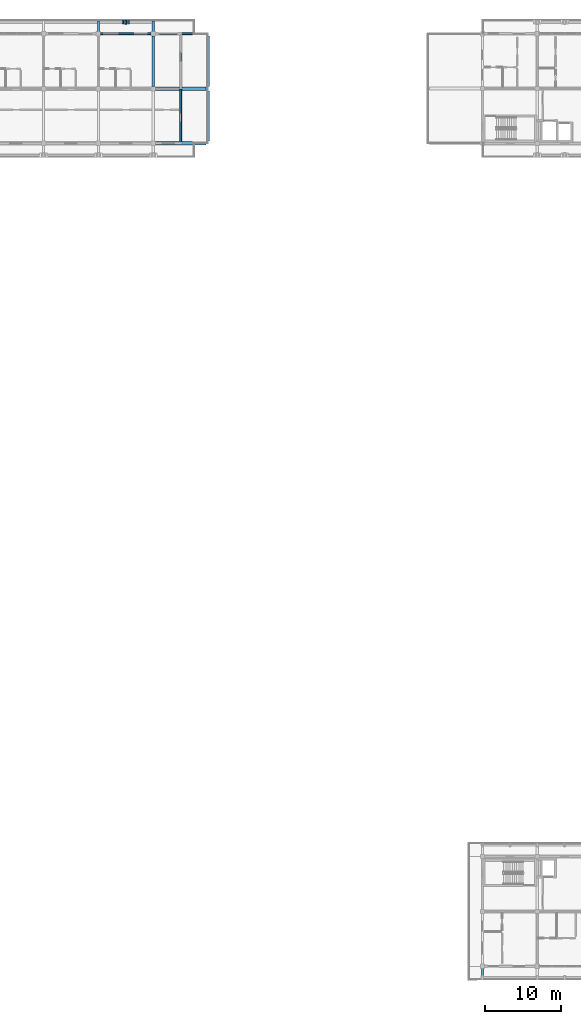
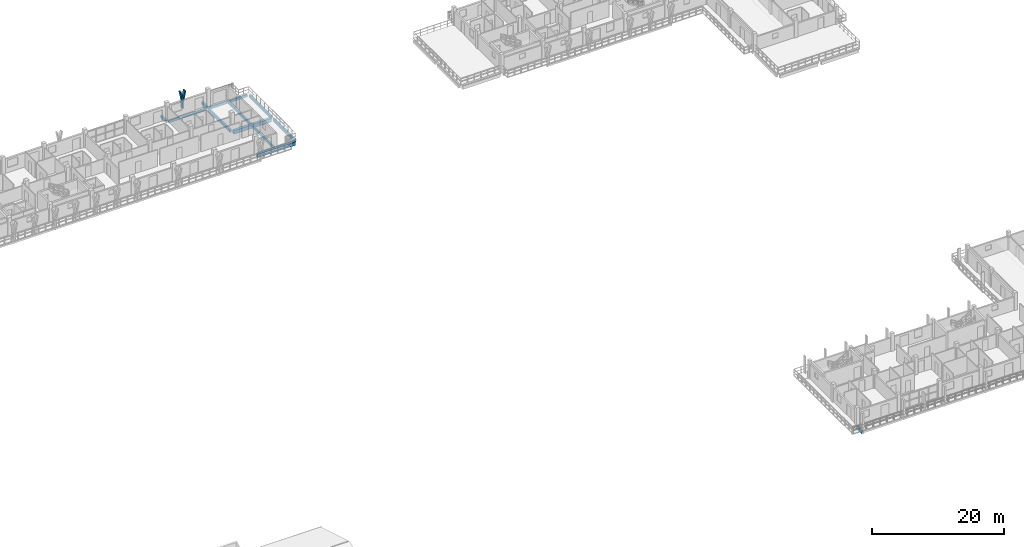
# One storey, part 15 of 60: 12 beams, 3 members.
"""IFC4 building model written with IfcOpenShell, lengths in metres."""

import ifcopenshell
import ifcopenshell.guid

model = None  # the IFC model being written
_history = None  # IfcOwnerHistory: only IFC2X3 demands one
_inside = {}  # id of a spatial element -> (the spatial element, [elements in it])
_under = {}  # id of a project, library or spatial element -> (it, [spatial elements below it])
_declared = {}  # id of a project -> (the project, [libraries it declares])
_typed = {}  # id of a type object -> (the type object, [elements of that type])
_made_of = {}  # id of a material, layer set ... -> (it, [elements and type objects made of it])


def new_model(schema):
    """Start an empty IFC model of exactly this schema.

    Asked for "IFC4X3", IfcOpenShell would pick the latest addendum, in which some entities
    have other attributes; the version numbers below select the first issue.
    IFC2X3 requires an IfcOwnerHistory on every rooted entity: one is made here for all.
    """
    global model, _history
    if schema == "IFC4X3":
        model = ifcopenshell.file(schema_version=(4, 3, 0, 0))
    else:
        model = ifcopenshell.file(schema=schema)
    _inside.clear()
    _under.clear()
    _declared.clear()
    _typed.clear()
    _made_of.clear()
    _history = None
    if model.schema == "IFC2X3":
        org = make("IfcOrganization", Name="unknown")
        user = make(
            "IfcPersonAndOrganization",
            ThePerson=make("IfcPerson", FamilyName="unknown"),
            TheOrganization=org,
        )
        app = make(
            "IfcApplication",
            ApplicationDeveloper=org,
            Version="unknown",
            ApplicationFullName="unknown",
            ApplicationIdentifier="unknown",
        )
        _history = make(
            "IfcOwnerHistory",
            OwningUser=user,
            OwningApplication=app,
            ChangeAction="ADDED",
            CreationDate=0,
        )
    return model


def make(cls, **values):
    """One entity of the class cls with the attributes given. An attribute that is None is left unset."""
    return model.create_entity(
        cls, **{name: value for name, value in values.items() if value is not None}
    )


def rooted(cls, **values):
    """An entity with a GlobalId (a new one), such as an element, a storey or a relation."""
    return make(cls, GlobalId=ifcopenshell.guid.new(), OwnerHistory=_history, **values)


def si_unit(unit_type, name, prefix=None):
    """IfcSIUnit, for example si_unit("LENGTHUNIT", "METRE", prefix="MILLI")."""
    return make("IfcSIUnit", UnitType=unit_type, Prefix=prefix, Name=name)


def assignment(units):
    """IfcUnitAssignment: the units of a project."""
    return None if units is None else make("IfcUnitAssignment", Units=units)


def point(xyz):
    """IfcCartesianPoint."""
    return None if xyz is None else make("IfcCartesianPoint", Coordinates=xyz)


def direction(xyz):
    """IfcDirection."""
    return None if xyz is None else make("IfcDirection", DirectionRatios=xyz)


def frame(location, z_axis=None, x_axis=None):
    """IfcAxis2Placement3D, a coordinate frame: its origin and axes. An axis left out is left unset."""
    return make(
        "IfcAxis2Placement3D",
        Location=point(location),
        Axis=direction(z_axis),
        RefDirection=direction(x_axis),
    )


def frame_2d(location, x_axis=None):
    """IfcAxis2Placement2D, a coordinate frame in the plane: its origin and x axis."""
    return make(
        "IfcAxis2Placement2D", Location=point(location), RefDirection=direction(x_axis)
    )


def origin():
    """The frame at (0, 0, 0) with its axes left unset."""
    return frame((0.0, 0.0, 0.0))


def origin_2d():
    """The frame at (0, 0) in the plane with its x axis left unset."""
    return frame_2d((0.0, 0.0))


def place(relative_to, where):
    """IfcLocalPlacement: puts the frame where relative to a parent placement (None: the world)."""
    return make(
        "IfcLocalPlacement", PlacementRelTo=relative_to, RelativePlacement=where
    )


def context(
    kind, dimensions, precision=None, world=None, true_north=None, identifier=None
):
    """IfcGeometricRepresentationContext, for example the 3D "Model" context."""
    return make(
        "IfcGeometricRepresentationContext",
        ContextIdentifier=identifier,
        ContextType=kind,
        CoordinateSpaceDimension=dimensions,
        Precision=precision,
        WorldCoordinateSystem=world,
        TrueNorth=true_north,
    )


def subcontext(parent, identifier, kind, view, scale=None):
    """IfcGeometricRepresentationSubContext, for example "Body" below "Model"."""
    return make(
        "IfcGeometricRepresentationSubContext",
        ContextIdentifier=identifier,
        ContextType=kind,
        ParentContext=parent,
        TargetScale=scale,
        TargetView=view,
    )


def project(units=None, contexts=None):
    """IfcProject with its units and contexts."""
    return rooted(
        "IfcProject",
        Name="project",
        RepresentationContexts=contexts,
        UnitsInContext=assignment(units),
    )


def spatial(cls, under=None, at=None, **own):
    """A site, building, storey or space (cls), placed at a placement, below another one or the project."""
    s = rooted(cls, ObjectPlacement=at, **own)
    if under is not None:
        _under.setdefault(under.id(), (under, []))[1].append(s)
    return s


def profile(cls, at=None, kind="AREA", **sizes):
    """A parametric profile (cls). Its sizes go by their IFC names, for example OverallWidth=200.0."""
    return make(cls, ProfileType=kind, Position=at, **sizes)


def rectangle(**sizes):
    """IfcRectangleProfileDef."""
    return profile("IfcRectangleProfileDef", **sizes)


def extrude(swept, where, along, depth):
    """IfcExtrudedAreaSolid: the profile swept, set in the frame where, extruded along a direction by depth."""
    return make(
        "IfcExtrudedAreaSolid",
        SweptArea=swept,
        Position=where,
        ExtrudedDirection=direction(along),
        Depth=depth,
    )


def shape(context_of_items, identifier, shape_type, items):
    """IfcShapeRepresentation: the items that make up one representation, for example the "Body"."""
    return make(
        "IfcShapeRepresentation",
        ContextOfItems=context_of_items,
        RepresentationIdentifier=identifier,
        RepresentationType=shape_type,
        Items=items,
    )


def material(Name=None, Category=None):
    """IfcMaterial."""
    return make("IfcMaterial", Name=Name, Category=Category)


def material_profile(
    of_material, cross_section, Name=None, Category=None, Priority=None
):
    """IfcMaterialProfile: a cross section and its material."""
    return make(
        "IfcMaterialProfile",
        Name=Name,
        Material=of_material,
        Profile=cross_section,
        Priority=Priority,
        Category=Category,
    )


def profile_set(profiles, Name=None, composite=None):
    """IfcMaterialProfileSet."""
    return make(
        "IfcMaterialProfileSet",
        Name=Name,
        MaterialProfiles=profiles,
        CompositeProfile=composite,
    )


def made_of(thing, what):
    """Note that an element or type object is made of a material, layer set ...; save() writes the relation."""
    if what is not None:
        _made_of.setdefault(what.id(), (what, []))[1].append(thing)
    return thing


def type_object(cls, material=None, **own):
    """A type object (cls), such as IfcWallType, which elements share."""
    return made_of(rooted(cls, **own), material)


def element(
    cls,
    number,
    at=None,
    inside=None,
    cuts=None,
    type_object=None,
    material=None,
    context=None,
    identifier="Body",
    shape_type=None,
    held_by="IfcProductDefinitionShape",
    body=None,
    shapes=None,
    **own,
):
    """One element of the class cls, such as IfcWall. Its Tag is "e" and its number.

    at: its placement. inside: the storey or other place that contains it. cuts: it is an
    opening in that element (IfcRelVoidsElement). A single representation is given by context,
    identifier, shape_type and body (its items); several are given by shapes. held_by: the class
    of the entity that holds the representations. save() writes the other relations.
    """
    e = rooted(cls, Tag="e%d" % number, ObjectPlacement=at, **own)
    if body is not None:
        shapes = [shape(context, identifier, shape_type, body)]
    if shapes is not None:
        e.Representation = make(held_by, Representations=shapes)
    if inside is not None:
        _inside.setdefault(inside.id(), (inside, []))[1].append(e)
    if cuts is not None:
        rooted(
            "IfcRelVoidsElement", RelatingBuildingElement=cuts, RelatedOpeningElement=e
        )
    if type_object is not None:
        _typed.setdefault(type_object.id(), (type_object, []))[1].append(e)
    return made_of(e, material)


def aggregate(whole, parts):
    """IfcRelAggregates: a whole, such as a stair, and the parts it consists of."""
    return rooted("IfcRelAggregates", RelatingObject=whole, RelatedObjects=parts)


def save(model, path):
    """Write the relations noted so far, then the file.

    IfcRelAggregates (storeys below a building ...), IfcRelContainedInSpatialStructure (elements
    in a storey), IfcRelDefinesByType, IfcRelAssociatesMaterial and IfcRelDeclares: one each for
    every whole, place, type object, material and project.
    """
    for whole, parts in _under.values():
        aggregate(whole, parts)
    for where, things in _inside.values():
        rooted(
            "IfcRelContainedInSpatialStructure",
            RelatedElements=things,
            RelatingStructure=where,
        )
    for kind, things in _typed.values():
        rooted("IfcRelDefinesByType", RelatedObjects=things, RelatingType=kind)
    for what, things in _made_of.values():
        rooted("IfcRelAssociatesMaterial", RelatedObjects=things, RelatingMaterial=what)
    for by, libraries in _declared.values():
        rooted("IfcRelDeclares", RelatingContext=by, RelatedDefinitions=libraries)
    model.write(path)


model = new_model("IFC4")

# Units and contexts
model_context = context("Model", 3, precision=1e-05, world=origin(), true_north=direction((0.0, 1.0)))
body_context = subcontext(model_context, "Body", "Model", "MODEL_VIEW")
ifc_project = project(units=[si_unit("LENGTHUNIT", "METRE"), si_unit("AREAUNIT", "SQUARE_METRE"), si_unit("VOLUMEUNIT", "CUBIC_METRE"), si_unit("PLANEANGLEUNIT", "RADIAN"), si_unit("MASSUNIT", "GRAM", prefix="KILO")], contexts=[model_context])

# Site, building, storey
site_placement = place(None, origin())
site = spatial("IfcSite", under=ifc_project, at=site_placement, CompositionType="ELEMENT")
building_placement = place(site_placement, origin())
building = spatial("IfcBuilding", under=site, at=building_placement, Name="Suanplinth Sawtooth Commons", CompositionType="ELEMENT")
storey_placement = place(building_placement, frame((0.0, 0.0, 31.5)))
storey = spatial("IfcBuildingStorey", under=building, at=storey_placement, Name="L09", CompositionType="ELEMENT", Elevation=31.5)

# Beams
ifc_material_1 = material(Name="Precast concrete C40/50", Category="concrete")
ifc_material_profile_1 = material_profile(ifc_material_1, rectangle(XDim=0.449951171875, YDim=0.64990234375, at=origin_2d()), Name="PC-GDR 450x650")
ifc_profile_set_1 = profile_set([ifc_material_profile_1], Name="Precast concrete C40/50")
beam_type_1 = type_object("IfcBeamType", Name="B-04", PredefinedType="USERDEFINED", material=ifc_profile_set_1)
for number, where, z_axis, x_axis, name in (
    (1, (93.89990234375, 108.0, -0.574951171875), (1.0, 0.0, 0.0), (0.0, 1.0, 0.0), "BMX-L09-A-13-15"),
    (2, (93.89990234375, 115.199951171875, -0.574951171875), (1.0, 0.0, 0.0), (0.0, 1.0, 0.0), "BMX-L09-A-13-16"),
):
    element("IfcBeam", number, at=place(storey_placement, frame(where, z_axis=z_axis, x_axis=x_axis)), inside=storey, type_object=beam_type_1, Name=name, ObjectType="GIRDER", PredefinedType="USERDEFINED", context=body_context, shape_type="SweptSolid", body=[
        extrude(rectangle(XDim=0.449951171875, YDim=0.64990234375, at=origin_2d()), origin(), (0.0, 0.0, 1.0), 6.60009765625),
    ])
ifc_material_profile_2 = material_profile(ifc_material_1, rectangle(XDim=0.300048828125, YDim=0.5, at=origin_2d()), Name="PC-BM 300x500")
ifc_profile_set_2 = profile_set([ifc_material_profile_2], Name="Precast concrete C40/50")
beam_type_2 = type_object("IfcBeamType", Name="B-07", PredefinedType="BEAM", material=ifc_profile_set_2)
beam_1_placement = place(storey_placement, frame((93.60009765625, 115.5, -0.5), z_axis=(0.0, 1.0, 0.0), x_axis=(-1.0, 0.0, 0.0)))
element("IfcBeam", 3, at=beam_1_placement, inside=storey, type_object=beam_type_2, Name="BMY-L09-A-13-16", PredefinedType="BEAM", context=body_context, shape_type="SweptSolid", body=[
    extrude(rectangle(XDim=0.300048828125, YDim=0.5, at=origin_2d()), origin(), (0.0, 0.0, 1.0), 6.60009765625),
])
beam_2_placement = place(storey_placement, frame((100.800048828125, 108.300048828125, -0.5), z_axis=(0.0, 1.0, 0.0), x_axis=(-1.0, 0.0, 0.0)))
element("IfcBeam", 4, at=beam_2_placement, inside=storey, type_object=beam_type_2, Name="BMY-L09-A-14-15", PredefinedType="BEAM", context=body_context, shape_type="SweptSolid", body=[
    extrude(rectangle(XDim=0.300048828125, YDim=0.5, at=origin_2d()), origin(), (0.0, 0.0, 1.0), 6.599853515625),
])
beam_3_placement = place(storey_placement, frame((100.800048828125, 115.5, -0.5), z_axis=(0.0, 1.0, 0.0), x_axis=(-1.0, 0.0, 0.0)))
element("IfcBeam", 5, at=beam_3_placement, inside=storey, type_object=beam_type_2, Name="BMY-L09-A-14-16", PredefinedType="BEAM", context=body_context, shape_type="SweptSolid", body=[
    extrude(rectangle(XDim=0.300048828125, YDim=0.5, at=origin_2d()), origin(), (0.0, 0.0, 1.0), 6.60009765625),
])
for number, where, z_axis, x_axis, name in (
    (6, (86.39990234375, 122.39990234375, -0.429931640625), (0.0, 1.0, 0.0), (-1.0, 0.0, 0.0), "Balcony Outrigger L09-A-N-12"),
    (7, (93.60009765625, 122.39990234375, -0.429931640625), (0.0, 1.0, 0.0), (-1.0, 0.0, 0.0), "Balcony Outrigger L09-A-N-13"),
):
    element("IfcBeam", number, at=place(storey_placement, frame(where, z_axis=z_axis, x_axis=x_axis)), inside=storey, type_object=beam_type_2, Name=name, PredefinedType="BEAM", context=body_context, shape_type="SweptSolid", body=[
        extrude(rectangle(XDim=0.300048828125, YDim=0.5, at=origin_2d()), origin(), (0.0, 0.0, 1.0), 1.64013671875),
    ])
beam_4_placement = place(storey_placement, frame((136.800048828125, 0.0, -0.429931640625), z_axis=(0.0, -1.0, 0.0), x_axis=(1.0, 0.0, 0.0)))
element("IfcBeam", 8, at=beam_4_placement, inside=storey, type_object=beam_type_2, Name="Balcony Outrigger L09-C-S-19", PredefinedType="BEAM", context=body_context, shape_type="SweptSolid", body=[
    extrude(rectangle(XDim=0.300048828125, YDim=0.5, at=origin_2d()), origin(), (0.0, 0.0, 1.0), 1.639892578125),
])
ifc_material_profile_3 = material_profile(ifc_material_1, rectangle(XDim=0.25, YDim=0.449951171875, at=origin_2d()), Name="PC-SP 250x450")
ifc_profile_set_3 = profile_set([ifc_material_profile_3], Name="Precast concrete C40/50")
beam_type_3 = type_object("IfcBeamType", Name="B-09", PredefinedType="SPANDREL", material=ifc_profile_set_3)
for number, where, z_axis, x_axis, name in (
    (9, (86.699951171875, 122.39990234375, -0.47509765625), (1.0, 0.0, 0.0), (0.0, 1.0, 0.0), "BMX-L09-A-12-17"),
    (10, (93.89990234375, 122.39990234375, -0.47509765625), (1.0, 0.0, 0.0), (0.0, 1.0, 0.0), "BMX-L09-A-13-17"),
):
    element("IfcBeam", number, at=place(storey_placement, frame(where, z_axis=z_axis, x_axis=x_axis)), inside=storey, type_object=beam_type_3, Name=name, PredefinedType="SPANDREL", context=body_context, shape_type="SweptSolid", body=[
        extrude(rectangle(XDim=0.25, YDim=0.449951171875, at=origin_2d()), origin(), (0.0, 0.0, 1.0), 6.60009765625),
    ])
beam_5_placement = place(storey_placement, frame((97.199951171875, 108.139892578125, -0.574951171875), z_axis=(0.0, 1.0, 0.0), x_axis=(-1.0, 0.0, 0.0)))
element("IfcBeam", 11, at=beam_5_placement, inside=storey, type_object=beam_type_3, Name="BMY-L09-A-STEP-972-15", PredefinedType="SPANDREL", context=body_context, shape_type="SweptSolid", body=[
    extrude(rectangle(XDim=0.25, YDim=0.449951171875, at=origin_2d()), origin(), (0.0, 0.0, 1.0), 6.980224609375),
])
beam_6_placement = place(storey_placement, frame((97.199951171875, 115.340087890625, -0.574951171875), z_axis=(0.0, 1.0, 0.0), x_axis=(-1.0, 0.0, 0.0)))
element("IfcBeam", 12, at=beam_6_placement, inside=storey, type_object=beam_type_3, Name="BMY-L09-A-STEP-972-16", PredefinedType="SPANDREL", context=body_context, shape_type="SweptSolid", body=[
    extrude(rectangle(XDim=0.25, YDim=0.449951171875, at=origin_2d()), origin(), (0.0, 0.0, 1.0), 6.97998046875),
])

# Members
ifc_material_2 = material(Name="Pigmented precast concrete C40/50", Category="concrete")
ifc_material_profile_4 = material_profile(ifc_material_2, rectangle(XDim=0.260009765625, YDim=0.550048828125, at=origin_2d()), Name="PC-FIN 260x550")
ifc_profile_set_4 = profile_set([ifc_material_profile_4], Name="Pigmented precast concrete C40/50")
member_type_1 = type_object("IfcMemberType", Name="M-09", PredefinedType="USERDEFINED", material=ifc_profile_set_4)
member_placement = place(storey_placement, frame((90.0, 123.919921875, 0.0), z_axis=(0.0, 0.0, 1.0), x_axis=(1.0, 0.0, 0.0)))
element("IfcMember", 13, at=member_placement, inside=storey, type_object=member_type_1, Name="Y-Blade Stem L09-A-N-04", ObjectType="SHADING FIN", PredefinedType="USERDEFINED", context=body_context, shape_type="SweptSolid", body=[
    extrude(rectangle(XDim=0.260009765625, YDim=0.550048828125, at=origin_2d()), origin(), (0.0, 0.0, 1.0), 1.169921875),
])
ifc_material_profile_5 = material_profile(ifc_material_2, rectangle(XDim=0.219970703125, YDim=0.550048828125, at=origin_2d()), Name="PC-FIN 220x550")
ifc_profile_set_5 = profile_set([ifc_material_profile_5], Name="Pigmented precast concrete C40/50")
member_type_2 = type_object("IfcMemberType", Name="M-10", PredefinedType="USERDEFINED", material=ifc_profile_set_5)
for number, where, z_axis, x_axis, name in (
    (14, (90.0, 123.919921875, 1.1298828125), (-0.196530428008, 0.0, 0.98049772609), (0.98049772609, 0.0, 0.196530428008), "Y-Blade Arm L L09-A-N-04"),
    (15, (90.0, 123.919921875, 1.1298828125), (0.196530428008, 0.0, 0.98049772609), (-0.98049772609, 0.0, 0.196530428008), "Y-Blade Arm R L09-A-N-04"),
):
    element("IfcMember", number, at=place(storey_placement, frame(where, z_axis=z_axis, x_axis=x_axis)), inside=storey, type_object=member_type_2, Name=name, ObjectType="SHADING FIN", PredefinedType="USERDEFINED", context=body_context, shape_type="SweptSolid", body=[
        extrude(rectangle(XDim=0.219970703125, YDim=0.550048828125, at=origin_2d()), origin(), (0.0, 0.0, 1.0), 2.039794921875),
    ])

save(model, "model.ifc")
